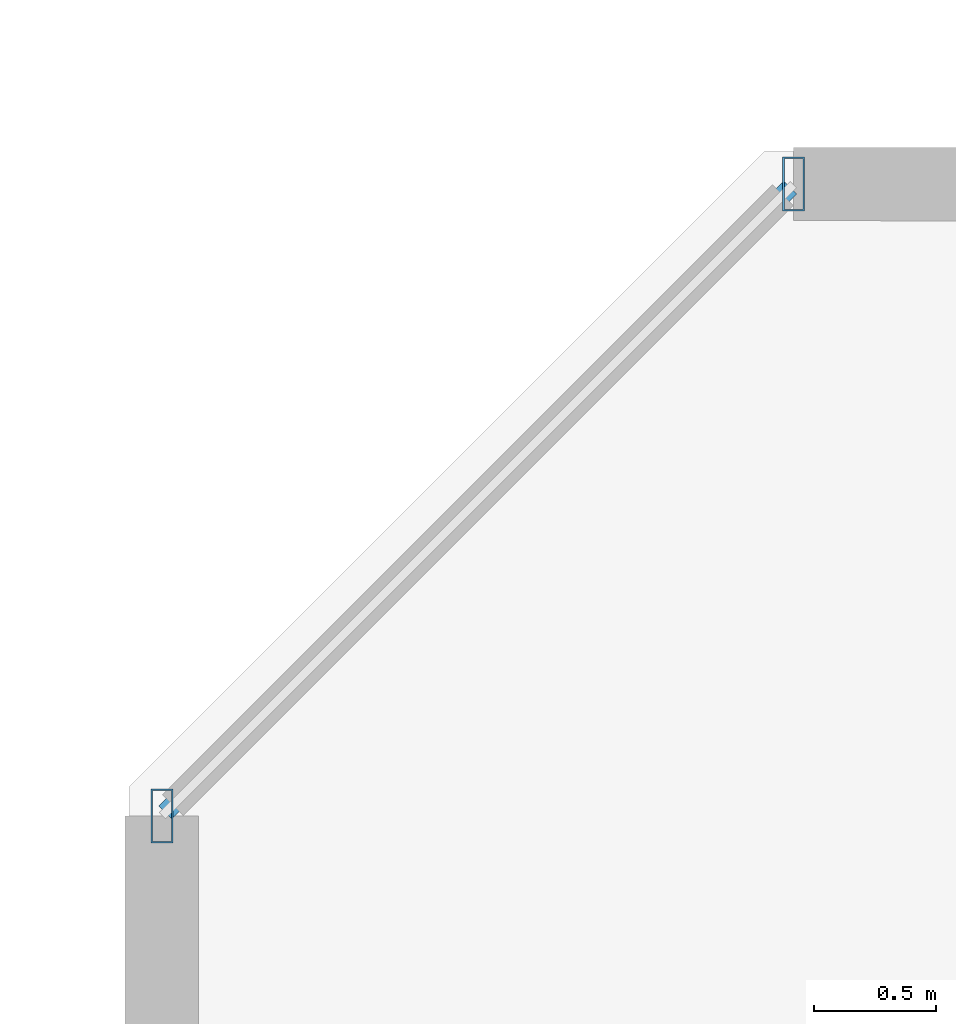
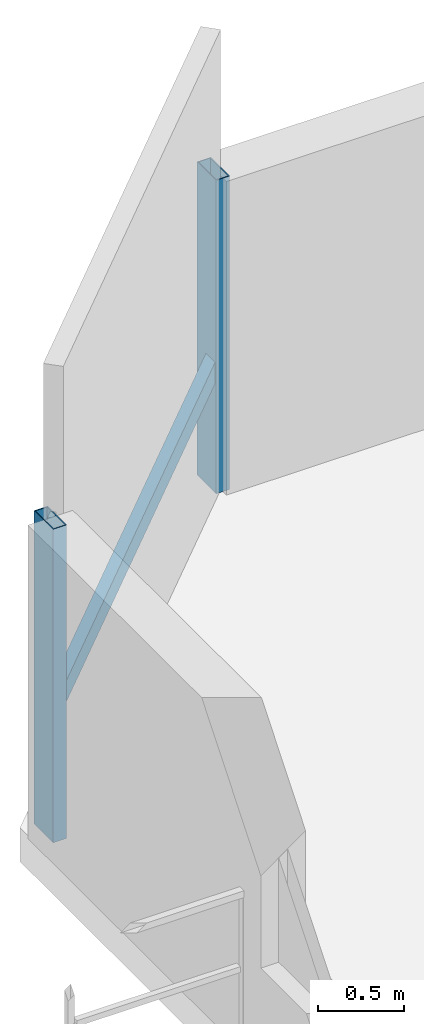
# One storey, part 7 of 36: 3 members, 1 element without a shape of its own.
"""IFC4 building model written with IfcOpenShell, lengths in metres."""

import ifcopenshell
import ifcopenshell.guid

model = None  # the IFC model being written
_history = None  # IfcOwnerHistory: only IFC2X3 demands one
_inside = {}  # id of a spatial element -> (the spatial element, [elements in it])
_under = {}  # id of a project, library or spatial element -> (it, [spatial elements below it])
_declared = {}  # id of a project -> (the project, [libraries it declares])
_typed = {}  # id of a type object -> (the type object, [elements of that type])
_made_of = {}  # id of a material, layer set ... -> (it, [elements and type objects made of it])


def new_model(schema):
    """Start an empty IFC model of exactly this schema.

    Asked for "IFC4X3", IfcOpenShell would pick the latest addendum, in which some entities
    have other attributes; the version numbers below select the first issue.
    IFC2X3 requires an IfcOwnerHistory on every rooted entity: one is made here for all.
    """
    global model, _history
    if schema == "IFC4X3":
        model = ifcopenshell.file(schema_version=(4, 3, 0, 0))
    else:
        model = ifcopenshell.file(schema=schema)
    _inside.clear()
    _under.clear()
    _declared.clear()
    _typed.clear()
    _made_of.clear()
    _history = None
    if model.schema == "IFC2X3":
        org = make("IfcOrganization", Name="unknown")
        user = make(
            "IfcPersonAndOrganization",
            ThePerson=make("IfcPerson", FamilyName="unknown"),
            TheOrganization=org,
        )
        app = make(
            "IfcApplication",
            ApplicationDeveloper=org,
            Version="unknown",
            ApplicationFullName="unknown",
            ApplicationIdentifier="unknown",
        )
        _history = make(
            "IfcOwnerHistory",
            OwningUser=user,
            OwningApplication=app,
            ChangeAction="ADDED",
            CreationDate=0,
        )
    return model


def make(cls, **values):
    """One entity of the class cls with the attributes given. An attribute that is None is left unset."""
    return model.create_entity(
        cls, **{name: value for name, value in values.items() if value is not None}
    )


def rooted(cls, **values):
    """An entity with a GlobalId (a new one), such as an element, a storey or a relation."""
    return make(cls, GlobalId=ifcopenshell.guid.new(), OwnerHistory=_history, **values)


def si_unit(unit_type, name, prefix=None):
    """IfcSIUnit, for example si_unit("LENGTHUNIT", "METRE", prefix="MILLI")."""
    return make("IfcSIUnit", UnitType=unit_type, Prefix=prefix, Name=name)


def assignment(units):
    """IfcUnitAssignment: the units of a project."""
    return None if units is None else make("IfcUnitAssignment", Units=units)


def point(xyz):
    """IfcCartesianPoint."""
    return None if xyz is None else make("IfcCartesianPoint", Coordinates=xyz)


def direction(xyz):
    """IfcDirection."""
    return None if xyz is None else make("IfcDirection", DirectionRatios=xyz)


def frame(location, z_axis=None, x_axis=None):
    """IfcAxis2Placement3D, a coordinate frame: its origin and axes. An axis left out is left unset."""
    return make(
        "IfcAxis2Placement3D",
        Location=point(location),
        Axis=direction(z_axis),
        RefDirection=direction(x_axis),
    )


def frame_2d(location, x_axis=None):
    """IfcAxis2Placement2D, a coordinate frame in the plane: its origin and x axis."""
    return make(
        "IfcAxis2Placement2D", Location=point(location), RefDirection=direction(x_axis)
    )


def origin():
    """The frame at (0, 0, 0) with its axes left unset."""
    return frame((0.0, 0.0, 0.0))


def origin_2d():
    """The frame at (0, 0) in the plane with its x axis left unset."""
    return frame_2d((0.0, 0.0))


def place(relative_to, where):
    """IfcLocalPlacement: puts the frame where relative to a parent placement (None: the world)."""
    return make(
        "IfcLocalPlacement", PlacementRelTo=relative_to, RelativePlacement=where
    )


def context(
    kind, dimensions, precision=None, world=None, true_north=None, identifier=None
):
    """IfcGeometricRepresentationContext, for example the 3D "Model" context."""
    return make(
        "IfcGeometricRepresentationContext",
        ContextIdentifier=identifier,
        ContextType=kind,
        CoordinateSpaceDimension=dimensions,
        Precision=precision,
        WorldCoordinateSystem=world,
        TrueNorth=true_north,
    )


def subcontext(parent, identifier, kind, view, scale=None):
    """IfcGeometricRepresentationSubContext, for example "Body" below "Model"."""
    return make(
        "IfcGeometricRepresentationSubContext",
        ContextIdentifier=identifier,
        ContextType=kind,
        ParentContext=parent,
        TargetScale=scale,
        TargetView=view,
    )


def project(units=None, contexts=None):
    """IfcProject with its units and contexts."""
    return rooted(
        "IfcProject",
        Name="project",
        RepresentationContexts=contexts,
        UnitsInContext=assignment(units),
    )


def spatial(cls, under=None, at=None, **own):
    """A site, building, storey or space (cls), placed at a placement, below another one or the project."""
    s = rooted(cls, ObjectPlacement=at, **own)
    if under is not None:
        _under.setdefault(under.id(), (under, []))[1].append(s)
    return s


def profile(cls, at=None, kind="AREA", **sizes):
    """A parametric profile (cls). Its sizes go by their IFC names, for example OverallWidth=200.0."""
    return make(cls, ProfileType=kind, Position=at, **sizes)


def hollow_rectangle(**sizes):
    """IfcRectangleHollowProfileDef."""
    return profile("IfcRectangleHollowProfileDef", **sizes)


def extrude(swept, where, along, depth):
    """IfcExtrudedAreaSolid: the profile swept, set in the frame where, extruded along a direction by depth."""
    return make(
        "IfcExtrudedAreaSolid",
        SweptArea=swept,
        Position=where,
        ExtrudedDirection=direction(along),
        Depth=depth,
    )


def shape(context_of_items, identifier, shape_type, items):
    """IfcShapeRepresentation: the items that make up one representation, for example the "Body"."""
    return make(
        "IfcShapeRepresentation",
        ContextOfItems=context_of_items,
        RepresentationIdentifier=identifier,
        RepresentationType=shape_type,
        Items=items,
    )


def material(Name=None, Category=None):
    """IfcMaterial."""
    return make("IfcMaterial", Name=Name, Category=Category)


def material_profile(
    of_material, cross_section, Name=None, Category=None, Priority=None
):
    """IfcMaterialProfile: a cross section and its material."""
    return make(
        "IfcMaterialProfile",
        Name=Name,
        Material=of_material,
        Profile=cross_section,
        Priority=Priority,
        Category=Category,
    )


def profile_set(profiles, Name=None, composite=None):
    """IfcMaterialProfileSet."""
    return make(
        "IfcMaterialProfileSet",
        Name=Name,
        MaterialProfiles=profiles,
        CompositeProfile=composite,
    )


def made_of(thing, what):
    """Note that an element or type object is made of a material, layer set ...; save() writes the relation."""
    if what is not None:
        _made_of.setdefault(what.id(), (what, []))[1].append(thing)
    return thing


def type_object(cls, material=None, **own):
    """A type object (cls), such as IfcWallType, which elements share."""
    return made_of(rooted(cls, **own), material)


def element(
    cls,
    number,
    at=None,
    inside=None,
    cuts=None,
    type_object=None,
    material=None,
    context=None,
    identifier="Body",
    shape_type=None,
    held_by="IfcProductDefinitionShape",
    body=None,
    shapes=None,
    **own,
):
    """One element of the class cls, such as IfcWall. Its Tag is "e" and its number.

    at: its placement. inside: the storey or other place that contains it. cuts: it is an
    opening in that element (IfcRelVoidsElement). A single representation is given by context,
    identifier, shape_type and body (its items); several are given by shapes. held_by: the class
    of the entity that holds the representations. save() writes the other relations.
    """
    e = rooted(cls, Tag="e%d" % number, ObjectPlacement=at, **own)
    if body is not None:
        shapes = [shape(context, identifier, shape_type, body)]
    if shapes is not None:
        e.Representation = make(held_by, Representations=shapes)
    if inside is not None:
        _inside.setdefault(inside.id(), (inside, []))[1].append(e)
    if cuts is not None:
        rooted(
            "IfcRelVoidsElement", RelatingBuildingElement=cuts, RelatedOpeningElement=e
        )
    if type_object is not None:
        _typed.setdefault(type_object.id(), (type_object, []))[1].append(e)
    return made_of(e, material)


def aggregate(whole, parts):
    """IfcRelAggregates: a whole, such as a stair, and the parts it consists of."""
    return rooted("IfcRelAggregates", RelatingObject=whole, RelatedObjects=parts)


def save(model, path):
    """Write the relations noted so far, then the file.

    IfcRelAggregates (storeys below a building ...), IfcRelContainedInSpatialStructure (elements
    in a storey), IfcRelDefinesByType, IfcRelAssociatesMaterial and IfcRelDeclares: one each for
    every whole, place, type object, material and project.
    """
    for whole, parts in _under.values():
        aggregate(whole, parts)
    for where, things in _inside.values():
        rooted(
            "IfcRelContainedInSpatialStructure",
            RelatedElements=things,
            RelatingStructure=where,
        )
    for kind, things in _typed.values():
        rooted("IfcRelDefinesByType", RelatedObjects=things, RelatingType=kind)
    for what, things in _made_of.values():
        rooted("IfcRelAssociatesMaterial", RelatedObjects=things, RelatingMaterial=what)
    for by, libraries in _declared.values():
        rooted("IfcRelDeclares", RelatingContext=by, RelatedDefinitions=libraries)
    model.write(path)


model = new_model("IFC4")

# Units and contexts
model_context = context("Model", 3, precision=1e-05, world=origin(), true_north=direction((0.0, 1.0)))
body_context = subcontext(model_context, "Body", "Model", "MODEL_VIEW")
ifc_project = project(units=[si_unit("LENGTHUNIT", "METRE"), si_unit("AREAUNIT", "SQUARE_METRE"), si_unit("VOLUMEUNIT", "CUBIC_METRE"), si_unit("PLANEANGLEUNIT", "RADIAN"), si_unit("MASSUNIT", "GRAM", prefix="KILO")], contexts=[model_context])

# Site, building, storey
site_placement = place(None, origin())
site = spatial("IfcSite", under=ifc_project, at=site_placement, CompositionType="ELEMENT")
building_placement = place(site_placement, origin())
building = spatial("IfcBuilding", under=site, at=building_placement, Name="Thornwick Lancets Civic Towers", CompositionType="ELEMENT")
storey_placement = place(building_placement, frame((0.0, 0.0, 45.89990234375)))
storey = spatial("IfcBuildingStorey", under=building, at=storey_placement, Name="L11", CompositionType="ELEMENT", Elevation=45.89990234375)

# Curtain wall, members
ifc_material_1 = material(Name="Low-zone chamfered-corner unitised glass curtain wall", Category="glass")
curtain_wall_type = type_object("IfcCurtainWallType", Name="CW_SYS_03", PredefinedType="NOTDEFINED", material=ifc_material_1)
curtain_wall_placement = place(storey_placement, origin())
curtain_wall = element("IfcCurtainWall", 1, at=curtain_wall_placement, inside=storey, type_object=curtain_wall_type, Name="L11 Curtain Wall CW-L11-A-E5", PredefinedType="NOTDEFINED")
ifc_material_2 = material(Name="Thermally broken bronze aluminium S355", Category="steel")
ifc_material_profile_1 = material_profile(ifc_material_2, hollow_rectangle(XDim=0.090087890625, YDim=0.219970703125, WallThickness=0.00634765625, at=origin_2d()), Name="RHS 220x90x6.3")
ifc_profile_set_1 = profile_set([ifc_material_profile_1], Name="Thermally broken bronze aluminium S355")
member_type_1 = type_object("IfcMemberType", Name="CW_MUL_220", PredefinedType="MULLION", material=ifc_profile_set_1)
member_1_placement = place(storey_placement, frame((3.81884765625, 45.264892578125, 0.0), z_axis=(0.0, 0.0, 1.0), x_axis=(1.0, 0.0, 0.0)))
member_1 = element("IfcMember", 2, at=member_1_placement, type_object=member_type_1, Name="CW-L11-A-E5 Mullion 0", PredefinedType="MULLION", context=body_context, shape_type="SweptSolid", body=[
    extrude(hollow_rectangle(XDim=0.090087890625, YDim=0.219970703125, WallThickness=0.00634765625, at=origin_2d()), origin(), (0.0, 0.0, 1.0), 2.22021484375),
])
member_2_placement = place(storey_placement, frame((1.235107421875, 42.68115234375, 0.0), z_axis=(0.0, 0.0, 1.0), x_axis=(1.0, 0.0, 0.0)))
member_2 = element("IfcMember", 3, at=member_2_placement, type_object=member_type_1, Name="CW-L11-A-E5 Mullion 1", PredefinedType="MULLION", context=body_context, shape_type="SweptSolid", body=[
    extrude(hollow_rectangle(XDim=0.090087890625, YDim=0.219970703125, WallThickness=0.00634765625, at=origin_2d()), origin(), (0.0, 0.0, 1.0), 2.22021484375),
])
ifc_material_profile_2 = material_profile(ifc_material_2, hollow_rectangle(XDim=0.074951171875, YDim=0.14990234375, WallThickness=0.0048828125, at=origin_2d()), Name="RHS 150x75x5")
ifc_profile_set_2 = profile_set([ifc_material_profile_2], Name="Thermally broken bronze aluminium S355")
member_type_2 = type_object("IfcMemberType", Name="CW_TRN_150", PredefinedType="USERDEFINED", material=ifc_profile_set_2)
member_3_placement = place(storey_placement, frame((3.8046875, 45.250732421875, 0.85009765625), z_axis=(-0.707106781187, -0.707106781187, 0.0), x_axis=(0.707106781187, -0.707106781187, 0.0)))
member_3 = element("IfcMember", 4, at=member_3_placement, type_object=member_type_2, Name="CW-L11-A-E5 Transom 0", ObjectType="TRANSOM", PredefinedType="USERDEFINED", context=body_context, shape_type="SweptSolid", body=[
    extrude(hollow_rectangle(XDim=0.074951171875, YDim=0.14990234375, WallThickness=0.0048828125, at=origin_2d()), origin(), (0.0, 0.0, 1.0), 3.614013671875),
])
aggregate(curtain_wall, [member_1, member_2, member_3])

save(model, "model.ifc")
